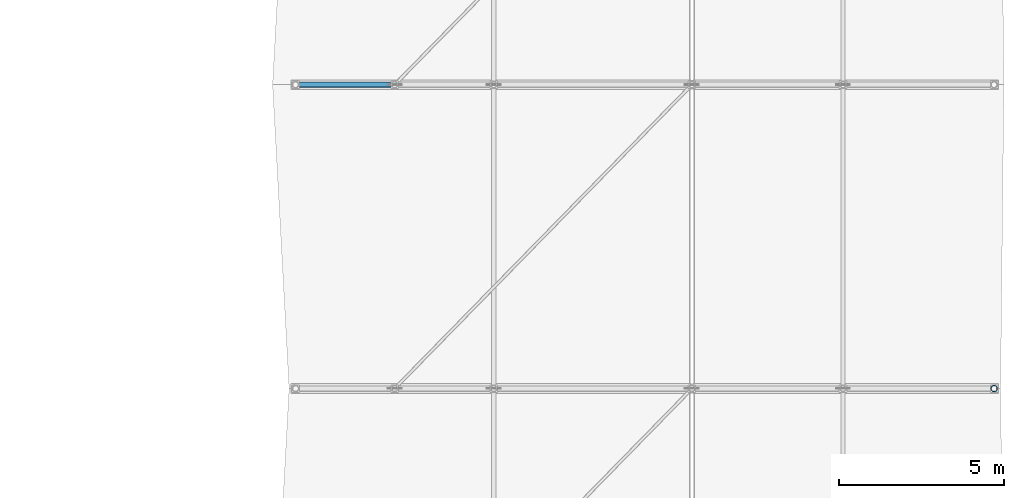
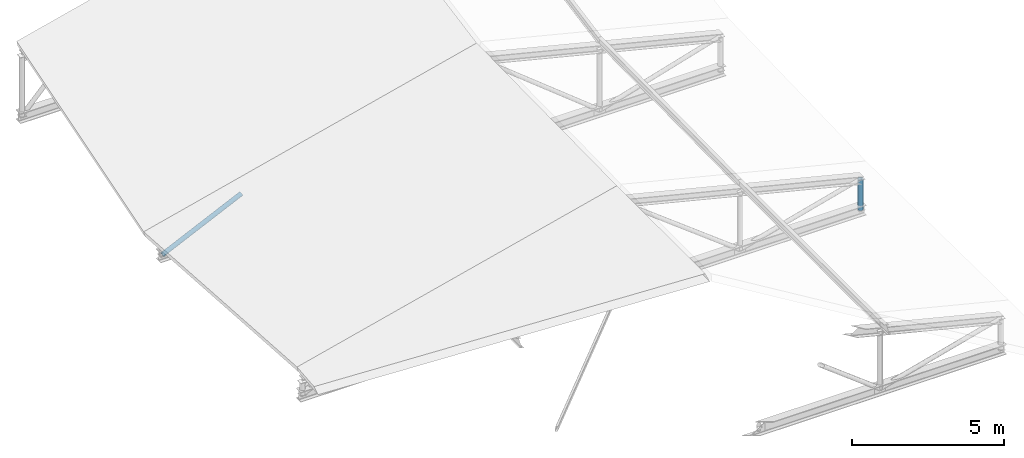
# One storey, part 16 of 33: 2 members.
"""IFC4 building model written with IfcOpenShell, lengths in metres."""

from ifc_helpers import new_model, si_unit, direction, frame, origin, origin_2d, place, context, subcontext, project, spatial, hollow_circle, extrude, material, material_profile, profile_set, type_object, element, save


model = new_model("IFC4")

# Units and contexts
model_context = context("Model", 3, precision=1e-05, world=origin(), true_north=direction((0.0, 1.0)))
body_context = subcontext(model_context, "Body", "Model", "MODEL_VIEW")
ifc_project = project(units=[si_unit("LENGTHUNIT", "METRE"), si_unit("AREAUNIT", "SQUARE_METRE"), si_unit("VOLUMEUNIT", "CUBIC_METRE"), si_unit("PLANEANGLEUNIT", "RADIAN"), si_unit("MASSUNIT", "GRAM", prefix="KILO")], contexts=[model_context])

# Site, building, storey
site_placement = place(None, origin())
site = spatial("IfcSite", under=ifc_project, at=site_placement, CompositionType="ELEMENT")
building_placement = place(site_placement, origin())
building = spatial("IfcBuilding", under=site, at=building_placement, Name="Bozkorgan Art Gallery", CompositionType="ELEMENT")
storey_placement = place(building_placement, frame((0.0, 0.0, 19.5)))
storey = spatial("IfcBuildingStorey", under=building, at=storey_placement, Name="L04", CompositionType="ELEMENT", Elevation=19.5)

# Members
ifc_material = material(Name="Steel S355J2", Category="steel")
ifc_material_profile_1 = material_profile(ifc_material, hollow_circle(Radius=0.096923828125, WallThickness=0.008056640625, at=origin_2d()), Name="CHS 193.7x8")
ifc_profile_set_1 = profile_set([ifc_material_profile_1], Name="Steel S355J2")
member_type_1 = type_object("IfcMemberType", Name="MEMBER-TP-46", PredefinedType="POST", material=ifc_profile_set_1)
member_1_placement = place(storey_placement, frame((164.14990234375, 29.199951171875, 0.199951171875), z_axis=(0.0, 0.0, 1.0), x_axis=(1.0, 0.0, 0.0)))
element("IfcMember", 1, at=member_1_placement, inside=storey, type_object=member_type_1, Name="ROOF-V6-MAIN roof truss 4 post 5", PredefinedType="POST", context=body_context, shape_type="SweptSolid", body=[
    extrude(hollow_circle(Radius=0.096923828125, WallThickness=0.008056640625, at=origin_2d()), origin(), (0.0, 0.0, 1.0), 1.226806640625),
])
ifc_material_profile_2 = material_profile(ifc_material, hollow_circle(Radius=0.084228515625, WallThickness=0.008056640625, at=origin_2d()), Name="CHS 168.3x8")
ifc_profile_set_2 = profile_set([ifc_material_profile_2], Name="Steel S355J2")
member_type_2 = type_object("IfcMemberType", Name="MEMBER-TW-40", PredefinedType="BRACE", material=ifc_profile_set_2)
member_2_placement = place(storey_placement, frame((143.0, 38.39990234375, 0.199951171875), z_axis=(0.905855169543, 0.0, 0.42358754917), x_axis=(0.0, 1.0, 0.0)))
element("IfcMember", 2, at=member_2_placement, inside=storey, type_object=member_type_2, Name="ROOF-V6-MAIN roof truss 5 diagonal 1", PredefinedType="BRACE", context=body_context, shape_type="SweptSolid", body=[
    extrude(hollow_circle(Radius=0.084228515625, WallThickness=0.008056640625, at=origin_2d()), origin(), (0.0, 0.0, 1.0), 3.311767578125),
])

save(model, "model.ifc")
